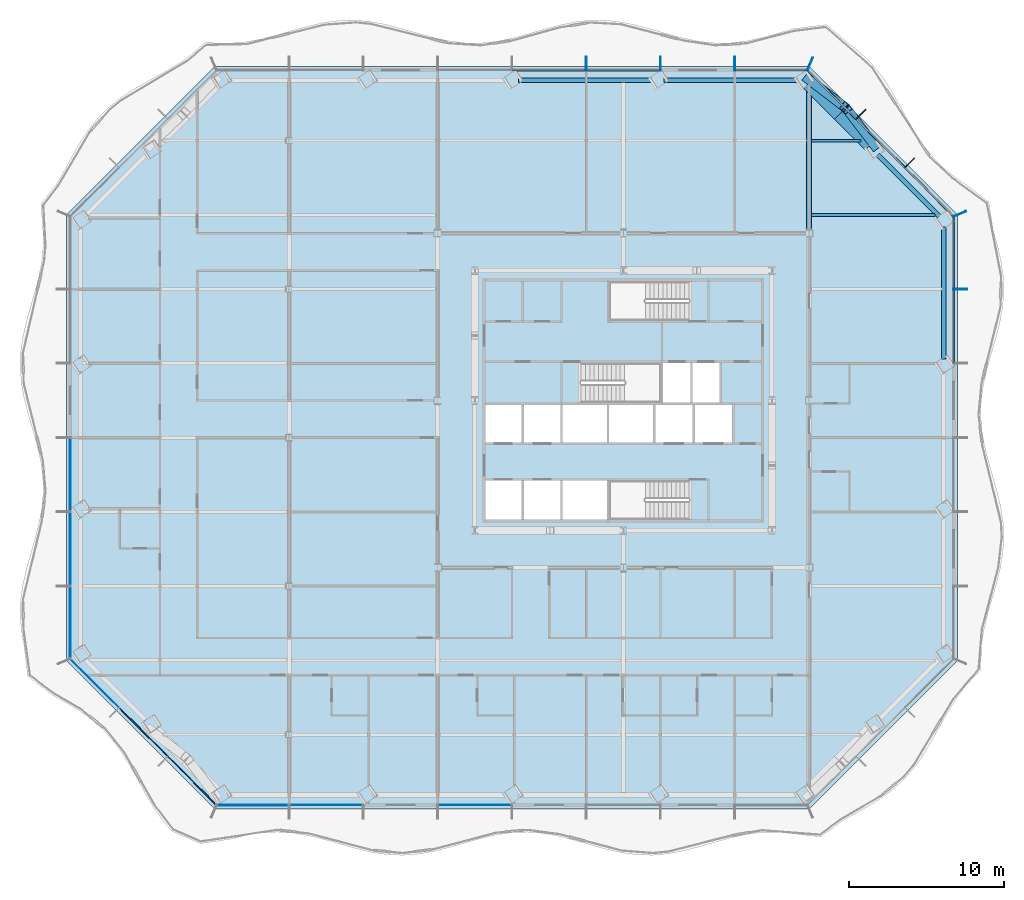
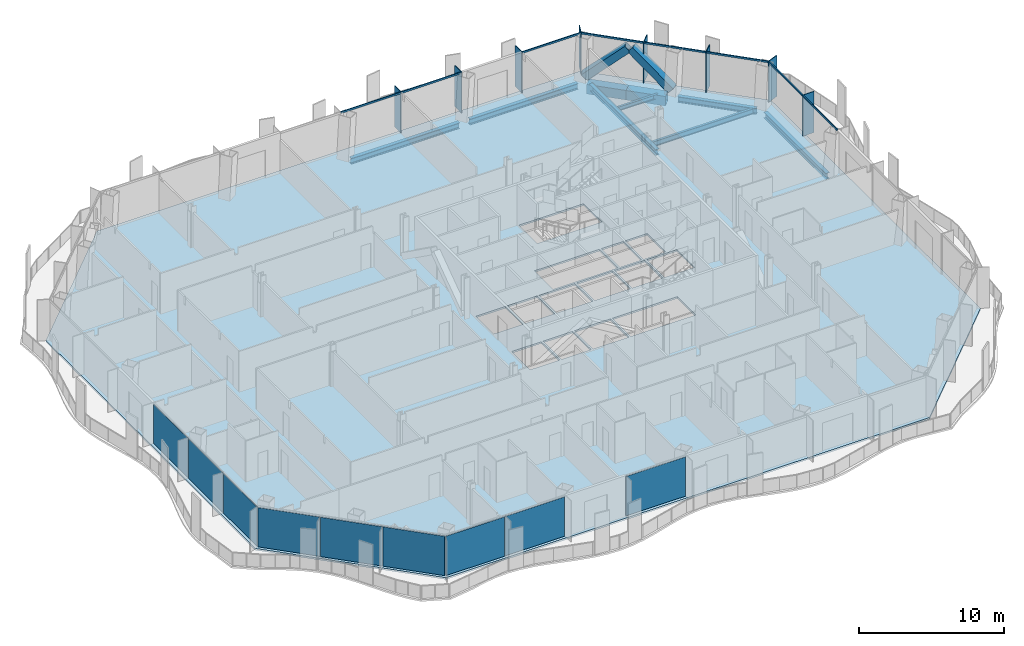
# One storey, part 4 of 20: 18 members, 9 beams, 9 plates, 1 slab, 6 elements without a shape of their own.
"""IFC4 building model written with IfcOpenShell, lengths in metres."""

import ifcopenshell
import ifcopenshell.guid

model = None  # the IFC model being written
_history = None  # IfcOwnerHistory: only IFC2X3 demands one
_inside = {}  # id of a spatial element -> (the spatial element, [elements in it])
_under = {}  # id of a project, library or spatial element -> (it, [spatial elements below it])
_declared = {}  # id of a project -> (the project, [libraries it declares])
_typed = {}  # id of a type object -> (the type object, [elements of that type])
_made_of = {}  # id of a material, layer set ... -> (it, [elements and type objects made of it])


def new_model(schema):
    """Start an empty IFC model of exactly this schema.

    Asked for "IFC4X3", IfcOpenShell would pick the latest addendum, in which some entities
    have other attributes; the version numbers below select the first issue.
    IFC2X3 requires an IfcOwnerHistory on every rooted entity: one is made here for all.
    """
    global model, _history
    if schema == "IFC4X3":
        model = ifcopenshell.file(schema_version=(4, 3, 0, 0))
    else:
        model = ifcopenshell.file(schema=schema)
    _inside.clear()
    _under.clear()
    _declared.clear()
    _typed.clear()
    _made_of.clear()
    _history = None
    if model.schema == "IFC2X3":
        org = make("IfcOrganization", Name="unknown")
        user = make(
            "IfcPersonAndOrganization",
            ThePerson=make("IfcPerson", FamilyName="unknown"),
            TheOrganization=org,
        )
        app = make(
            "IfcApplication",
            ApplicationDeveloper=org,
            Version="unknown",
            ApplicationFullName="unknown",
            ApplicationIdentifier="unknown",
        )
        _history = make(
            "IfcOwnerHistory",
            OwningUser=user,
            OwningApplication=app,
            ChangeAction="ADDED",
            CreationDate=0,
        )
    return model


def make(cls, **values):
    """One entity of the class cls with the attributes given. An attribute that is None is left unset."""
    return model.create_entity(
        cls, **{name: value for name, value in values.items() if value is not None}
    )


def rooted(cls, **values):
    """An entity with a GlobalId (a new one), such as an element, a storey or a relation."""
    return make(cls, GlobalId=ifcopenshell.guid.new(), OwnerHistory=_history, **values)


def si_unit(unit_type, name, prefix=None):
    """IfcSIUnit, for example si_unit("LENGTHUNIT", "METRE", prefix="MILLI")."""
    return make("IfcSIUnit", UnitType=unit_type, Prefix=prefix, Name=name)


def assignment(units):
    """IfcUnitAssignment: the units of a project."""
    return None if units is None else make("IfcUnitAssignment", Units=units)


def point(xyz):
    """IfcCartesianPoint."""
    return None if xyz is None else make("IfcCartesianPoint", Coordinates=xyz)


def direction(xyz):
    """IfcDirection."""
    return None if xyz is None else make("IfcDirection", DirectionRatios=xyz)


def frame(location, z_axis=None, x_axis=None):
    """IfcAxis2Placement3D, a coordinate frame: its origin and axes. An axis left out is left unset."""
    return make(
        "IfcAxis2Placement3D",
        Location=point(location),
        Axis=direction(z_axis),
        RefDirection=direction(x_axis),
    )


def frame_2d(location, x_axis=None):
    """IfcAxis2Placement2D, a coordinate frame in the plane: its origin and x axis."""
    return make(
        "IfcAxis2Placement2D", Location=point(location), RefDirection=direction(x_axis)
    )


def origin():
    """The frame at (0, 0, 0) with its axes left unset."""
    return frame((0.0, 0.0, 0.0))


def origin_2d():
    """The frame at (0, 0) in the plane with its x axis left unset."""
    return frame_2d((0.0, 0.0))


def place(relative_to, where):
    """IfcLocalPlacement: puts the frame where relative to a parent placement (None: the world)."""
    return make(
        "IfcLocalPlacement", PlacementRelTo=relative_to, RelativePlacement=where
    )


def context(
    kind, dimensions, precision=None, world=None, true_north=None, identifier=None
):
    """IfcGeometricRepresentationContext, for example the 3D "Model" context."""
    return make(
        "IfcGeometricRepresentationContext",
        ContextIdentifier=identifier,
        ContextType=kind,
        CoordinateSpaceDimension=dimensions,
        Precision=precision,
        WorldCoordinateSystem=world,
        TrueNorth=true_north,
    )


def subcontext(parent, identifier, kind, view, scale=None):
    """IfcGeometricRepresentationSubContext, for example "Body" below "Model"."""
    return make(
        "IfcGeometricRepresentationSubContext",
        ContextIdentifier=identifier,
        ContextType=kind,
        ParentContext=parent,
        TargetScale=scale,
        TargetView=view,
    )


def project(units=None, contexts=None):
    """IfcProject with its units and contexts."""
    return rooted(
        "IfcProject",
        Name="project",
        RepresentationContexts=contexts,
        UnitsInContext=assignment(units),
    )


def spatial(cls, under=None, at=None, **own):
    """A site, building, storey or space (cls), placed at a placement, below another one or the project."""
    s = rooted(cls, ObjectPlacement=at, **own)
    if under is not None:
        _under.setdefault(under.id(), (under, []))[1].append(s)
    return s


def polyline(points):
    """IfcPolyline through the points."""
    return make("IfcPolyline", Points=[point(p) for p in points])


def profile(cls, at=None, kind="AREA", **sizes):
    """A parametric profile (cls). Its sizes go by their IFC names, for example OverallWidth=200.0."""
    return make(cls, ProfileType=kind, Position=at, **sizes)


def rectangle(**sizes):
    """IfcRectangleProfileDef."""
    return profile("IfcRectangleProfileDef", **sizes)


def hollow_rectangle(**sizes):
    """IfcRectangleHollowProfileDef."""
    return profile("IfcRectangleHollowProfileDef", **sizes)


def i_section(**sizes):
    """IfcIShapeProfileDef."""
    return profile("IfcIShapeProfileDef", **sizes)


def outline(outer, holes=None, kind="AREA"):
    """IfcArbitraryClosedProfileDef: a profile drawn as a closed curve; with holes, ...WithVoids."""
    if holes is None:
        return make("IfcArbitraryClosedProfileDef", ProfileType=kind, OuterCurve=outer)
    return make(
        "IfcArbitraryProfileDefWithVoids",
        ProfileType=kind,
        OuterCurve=outer,
        InnerCurves=holes,
    )


def extrude(swept, where, along, depth):
    """IfcExtrudedAreaSolid: the profile swept, set in the frame where, extruded along a direction by depth."""
    return make(
        "IfcExtrudedAreaSolid",
        SweptArea=swept,
        Position=where,
        ExtrudedDirection=direction(along),
        Depth=depth,
    )


def shape(context_of_items, identifier, shape_type, items):
    """IfcShapeRepresentation: the items that make up one representation, for example the "Body"."""
    return make(
        "IfcShapeRepresentation",
        ContextOfItems=context_of_items,
        RepresentationIdentifier=identifier,
        RepresentationType=shape_type,
        Items=items,
    )


def material(Name=None, Category=None):
    """IfcMaterial."""
    return make("IfcMaterial", Name=Name, Category=Category)


def layer(
    of_material, thickness, ventilated=None, Name=None, Category=None, Priority=None
):
    """IfcMaterialLayer: one layer of a wall or slab, of a material (None: an air gap)."""
    return make(
        "IfcMaterialLayer",
        Material=of_material,
        LayerThickness=thickness,
        IsVentilated=ventilated,
        Name=Name,
        Category=Category,
        Priority=Priority,
    )


def layer_set(layers, Name=None):
    """IfcMaterialLayerSet."""
    return make("IfcMaterialLayerSet", MaterialLayers=layers, LayerSetName=Name)


def material_profile(
    of_material, cross_section, Name=None, Category=None, Priority=None
):
    """IfcMaterialProfile: a cross section and its material."""
    return make(
        "IfcMaterialProfile",
        Name=Name,
        Material=of_material,
        Profile=cross_section,
        Priority=Priority,
        Category=Category,
    )


def profile_set(profiles, Name=None, composite=None):
    """IfcMaterialProfileSet."""
    return make(
        "IfcMaterialProfileSet",
        Name=Name,
        MaterialProfiles=profiles,
        CompositeProfile=composite,
    )


def made_of(thing, what):
    """Note that an element or type object is made of a material, layer set ...; save() writes the relation."""
    if what is not None:
        _made_of.setdefault(what.id(), (what, []))[1].append(thing)
    return thing


def type_object(cls, material=None, **own):
    """A type object (cls), such as IfcWallType, which elements share."""
    return made_of(rooted(cls, **own), material)


def element(
    cls,
    number,
    at=None,
    inside=None,
    cuts=None,
    type_object=None,
    material=None,
    context=None,
    identifier="Body",
    shape_type=None,
    held_by="IfcProductDefinitionShape",
    body=None,
    shapes=None,
    **own,
):
    """One element of the class cls, such as IfcWall. Its Tag is "e" and its number.

    at: its placement. inside: the storey or other place that contains it. cuts: it is an
    opening in that element (IfcRelVoidsElement). A single representation is given by context,
    identifier, shape_type and body (its items); several are given by shapes. held_by: the class
    of the entity that holds the representations. save() writes the other relations.
    """
    e = rooted(cls, Tag="e%d" % number, ObjectPlacement=at, **own)
    if body is not None:
        shapes = [shape(context, identifier, shape_type, body)]
    if shapes is not None:
        e.Representation = make(held_by, Representations=shapes)
    if inside is not None:
        _inside.setdefault(inside.id(), (inside, []))[1].append(e)
    if cuts is not None:
        rooted(
            "IfcRelVoidsElement", RelatingBuildingElement=cuts, RelatedOpeningElement=e
        )
    if type_object is not None:
        _typed.setdefault(type_object.id(), (type_object, []))[1].append(e)
    return made_of(e, material)


def aggregate(whole, parts):
    """IfcRelAggregates: a whole, such as a stair, and the parts it consists of."""
    return rooted("IfcRelAggregates", RelatingObject=whole, RelatedObjects=parts)


def save(model, path):
    """Write the relations noted so far, then the file.

    IfcRelAggregates (storeys below a building ...), IfcRelContainedInSpatialStructure (elements
    in a storey), IfcRelDefinesByType, IfcRelAssociatesMaterial and IfcRelDeclares: one each for
    every whole, place, type object, material and project.
    """
    for whole, parts in _under.values():
        aggregate(whole, parts)
    for where, things in _inside.values():
        rooted(
            "IfcRelContainedInSpatialStructure",
            RelatedElements=things,
            RelatingStructure=where,
        )
    for kind, things in _typed.values():
        rooted("IfcRelDefinesByType", RelatedObjects=things, RelatingType=kind)
    for what, things in _made_of.values():
        rooted("IfcRelAssociatesMaterial", RelatedObjects=things, RelatingMaterial=what)
    for by, libraries in _declared.values():
        rooted("IfcRelDeclares", RelatingContext=by, RelatedDefinitions=libraries)
    model.write(path)


model = new_model("IFC4")

# Units and contexts
model_context = context("Model", 3, precision=1e-05, world=origin(), true_north=direction((0.0, 1.0)))
body_context = subcontext(model_context, "Body", "Model", "MODEL_VIEW")
ifc_project = project(units=[si_unit("LENGTHUNIT", "METRE"), si_unit("AREAUNIT", "SQUARE_METRE"), si_unit("VOLUMEUNIT", "CUBIC_METRE"), si_unit("PLANEANGLEUNIT", "RADIAN"), si_unit("MASSUNIT", "GRAM", prefix="KILO")], contexts=[model_context])

# Site, building, storey
site_placement = place(None, origin())
site = spatial("IfcSite", under=ifc_project, at=site_placement, CompositionType="ELEMENT")
building_placement = place(site_placement, origin())
building = spatial("IfcBuilding", under=site, at=building_placement, Name="Cairn Pilgrim Tower", CompositionType="ELEMENT")
storey_placement = place(building_placement, frame((0.0, 0.0, 87.0)))
storey = spatial("IfcBuildingStorey", under=building, at=storey_placement, Name="L20", CompositionType="ELEMENT", Elevation=87.0)

# Members
ifc_material_1 = material(Name="Structural steel S460M", Category="steel")
ifc_material_profile_1 = material_profile(ifc_material_1, hollow_rectangle(XDim=0.60009765625, YDim=0.60009765625, WallThickness=0.034912109375, at=origin_2d()), Name="BOX 600x600x35")
ifc_profile_set_1 = profile_set([ifc_material_profile_1], Name="Structural steel S460M")
member_type_1 = type_object("IfcMemberType", Name="BOX 600x600x35 BRACE", PredefinedType="BRACE", material=ifc_profile_set_1)
member_1_placement = place(storey_placement, frame((23.4873046875, 18.814697265625, 0.14990234375), z_axis=(-0.455726129467, 0.596815935693, 0.660397178843), x_axis=(-0.794783372434, -0.606893228585, 0.0)))
element("IfcMember", 1, at=member_1_placement, inside=storey, type_object=member_type_1, Name="XB-NE2-N1-1", PredefinedType="BRACE", context=body_context, shape_type="SweptSolid", body=[
    extrude(hollow_rectangle(XDim=0.60009765625, YDim=0.60009765625, WallThickness=0.034912109375, at=origin_2d()), origin(), (0.0, 0.0, 1.0), 4.03173828125),
])
member_2_placement = place(storey_placement, frame((19.078125, 23.2236328125, 0.14990234375), z_axis=(0.596854918616, -0.455709659886, 0.660373312612), x_axis=(0.606854333975, 0.794813070687, 0.0)))
element("IfcMember", 2, at=member_2_placement, inside=storey, type_object=member_type_1, Name="XB-NE2-N1-2", PredefinedType="BRACE", context=body_context, shape_type="SweptSolid", body=[
    extrude(hollow_rectangle(XDim=0.60009765625, YDim=0.60009765625, WallThickness=0.034912109375, at=origin_2d()), origin(), (0.0, 0.0, 1.0), 4.031982421875),
])

# Beams
ifc_material_2 = material(Name="Structural steel S355J2", Category="steel")
ifc_material_profile_2 = material_profile(ifc_material_2, hollow_rectangle(XDim=0.699951171875, YDim=0.800048828125, WallThickness=0.0400390625, at=origin_2d()), Name="BOX 700x800x40")
ifc_profile_set_2 = profile_set([ifc_material_profile_2], Name="Structural steel S355J2")
beam_type_1 = type_object("IfcBeamType", Name="BOX 700x800x40 RING GIRDER", PredefinedType="SPANDREL", material=ifc_profile_set_2)
beam_1_placement = place(storey_placement, frame((23.0771484375, 18.85009765625, -0.550048828125), z_axis=(-0.707106781187, 0.707106781187, 0.0), x_axis=(-0.707106781187, -0.707106781187, 0.0)))
element("IfcBeam", 3, at=beam_1_placement, inside=storey, type_object=beam_type_1, Name="RG1-NE2-N1-1", PredefinedType="SPANDREL", context=body_context, shape_type="SweptSolid", body=[
    extrude(hollow_rectangle(XDim=0.699951171875, YDim=0.800048828125, WallThickness=0.0400390625, at=origin_2d()), origin(), (0.0, 0.0, 1.0), 2.802490234375),
])
beam_2_placement = place(storey_placement, frame((21.095458984375, 20.831787109375, -0.550048828125), z_axis=(-0.707106781187, 0.707106781187, 0.0), x_axis=(-0.707106781187, -0.707106781187, 0.0)))
element("IfcBeam", 4, at=beam_2_placement, inside=storey, type_object=beam_type_1, Name="RG1-NE2-N1-2", PredefinedType="SPANDREL", context=body_context, shape_type="SweptSolid", body=[
    extrude(hollow_rectangle(XDim=0.699951171875, YDim=0.800048828125, WallThickness=0.0400390625, at=origin_2d()), origin(), (0.0, 0.0, 1.0), 2.802978515625),
])

# Curtain wall, member
ifc_material_3 = material(Name="Aluminium alloy 6063-T6 bronze anodised with Bronze tinted laminated low-E glass 8+16+8.8", Category="aluminium")
curtain_wall_type_1 = type_object("IfcCurtainWallType", Name="TOWER STICK CURTAIN WALL EW", PredefinedType="NOTDEFINED", material=ifc_material_3)
curtain_wall_1_placement = place(storey_placement, origin())
curtain_wall_1 = element("IfcCurtainWall", 5, at=curtain_wall_1_placement, inside=storey, type_object=curtain_wall_type_1, Name="Tower Stick Curtain Wall Ew E", PredefinedType="NOTDEFINED")
ifc_material_4 = material(Name="Aluminium alloy 6063-T6 bronze anodised", Category="aluminium")
ifc_material_profile_3 = material_profile(ifc_material_4, rectangle(XDim=0.89990234375, YDim=0.06005859375, at=origin_2d()), Name="FIN MULLION 60x900 BRONZE")
ifc_profile_set_3 = profile_set([ifc_material_profile_3], Name="Aluminium alloy 6063-T6 bronze anodised")
member_type_2 = type_object("IfcMemberType", Name="FIN MULLION 60x900 BRONZE", PredefinedType="MULLION", material=ifc_profile_set_3)
member_3_placement = place(storey_placement, frame((28.969970703125, 9.60009765625, 0.0), z_axis=(0.0, 0.0, 1.0), x_axis=(1.0, 0.0, 0.0)))
member_3 = element("IfcMember", 6, at=member_3_placement, type_object=member_type_2, Name="Fin mullion E6", PredefinedType="MULLION", context=body_context, shape_type="SweptSolid", body=[
    extrude(rectangle(XDim=0.89990234375, YDim=0.06005859375, at=origin_2d()), origin(), (0.0, 0.0, 1.0), 3.449951171875),
])

# Curtain wall, members
curtain_wall_type_2 = type_object("IfcCurtainWallType", Name="CHAMFER CORNER CURTAIN WALL", PredefinedType="NOTDEFINED", material=ifc_material_3)
curtain_wall_2_placement = place(storey_placement, origin())
curtain_wall_2 = element("IfcCurtainWall", 7, at=curtain_wall_2_placement, inside=storey, type_object=curtain_wall_type_2, Name="Chamfer Corner Curtain Wall NE", PredefinedType="NOTDEFINED")
member_4_placement = place(storey_placement, frame((28.93798828125, 14.457275390625, 0.0), z_axis=(0.0, 0.0, 1.0), x_axis=(0.923879532511, 0.382683432365, 0.0)))
member_4 = element("IfcMember", 8, at=member_4_placement, type_object=member_type_2, Name="Fin mullion NE1", PredefinedType="MULLION", context=body_context, shape_type="SweptSolid", body=[
    extrude(rectangle(XDim=0.89990234375, YDim=0.06005859375, at=origin_2d()), origin(), (0.0, 0.0, 1.0), 3.449951171875),
])
member_5_placement = place(storey_placement, frame((25.69580078125, 17.74462890625, 0.0), z_axis=(0.0, 0.0, 1.0), x_axis=(0.707106781187, 0.707106781187, 0.0)))
member_5 = element("IfcMember", 9, at=member_5_placement, type_object=member_type_2, Name="Fin mullion NE2", PredefinedType="MULLION", context=body_context, shape_type="SweptSolid", body=[
    extrude(rectangle(XDim=0.89990234375, YDim=0.06005859375, at=origin_2d()), origin(), (0.0, 0.0, 1.0), 3.449951171875),
])
member_6_placement = place(storey_placement, frame((22.544677734375, 20.895751953125, 0.0), z_axis=(0.0, 0.0, 1.0), x_axis=(0.707106781187, 0.707106781187, 0.0)))
member_6 = element("IfcMember", 10, at=member_6_placement, type_object=member_type_2, Name="Fin mullion NE3", PredefinedType="MULLION", context=body_context, shape_type="SweptSolid", body=[
    extrude(rectangle(XDim=0.89990234375, YDim=0.06005859375, at=origin_2d()), origin(), (0.0, 0.0, 1.0), 3.449951171875),
])

curtain_wall_type_3 = type_object("IfcCurtainWallType", Name="TOWER STICK CURTAIN WALL NS", PredefinedType="NOTDEFINED", material=ifc_material_3)
curtain_wall_3_placement = place(storey_placement, origin())
curtain_wall_3 = element("IfcCurtainWall", 11, at=curtain_wall_3_placement, inside=storey, type_object=curtain_wall_type_3, Name="Tower Stick Curtain Wall Ns N", PredefinedType="NOTDEFINED")
member_7_placement = place(storey_placement, frame((19.257080078125, 24.137939453125, 0.0), z_axis=(0.0, 0.0, 1.0), x_axis=(0.382683432365, 0.923879532511, 0.0)))
member_7 = element("IfcMember", 12, at=member_7_placement, type_object=member_type_2, Name="Fin mullion N1", PredefinedType="MULLION", context=body_context, shape_type="SweptSolid", body=[
    extrude(rectangle(XDim=0.89990234375, YDim=0.06005859375, at=origin_2d()), origin(), (0.0, 0.0, 1.0), 3.449951171875),
])
member_8_placement = place(storey_placement, frame((14.39990234375, 24.169921875, 0.0), z_axis=(0.0, 0.0, 1.0), x_axis=(0.0, 1.0, 0.0)))
member_8 = element("IfcMember", 13, at=member_8_placement, type_object=member_type_2, Name="Fin mullion N2", PredefinedType="MULLION", context=body_context, shape_type="SweptSolid", body=[
    extrude(rectangle(XDim=0.89990234375, YDim=0.06005859375, at=origin_2d()), origin(), (0.0, 0.0, 1.0), 3.449951171875),
])
member_9_placement = place(storey_placement, frame((9.60009765625, 24.169921875, 0.0), z_axis=(0.0, 0.0, 1.0), x_axis=(0.0, 1.0, 0.0)))
member_9 = element("IfcMember", 14, at=member_9_placement, type_object=member_type_2, Name="Fin mullion N3", PredefinedType="MULLION", context=body_context, shape_type="SweptSolid", body=[
    extrude(rectangle(XDim=0.89990234375, YDim=0.06005859375, at=origin_2d()), origin(), (0.0, 0.0, 1.0), 3.449951171875),
])
member_10_placement = place(storey_placement, frame((4.800048828125, 24.169921875, 0.0), z_axis=(0.0, 0.0, 1.0), x_axis=(0.0, 1.0, 0.0)))
member_10 = element("IfcMember", 15, at=member_10_placement, type_object=member_type_2, Name="Fin mullion N4", PredefinedType="MULLION", context=body_context, shape_type="SweptSolid", body=[
    extrude(rectangle(XDim=0.89990234375, YDim=0.06005859375, at=origin_2d()), origin(), (0.0, 0.0, 1.0), 3.449951171875),
])

# Beams
ifc_material_profile_4 = material_profile(ifc_material_2, i_section(OverallWidth=0.300048828125, OverallDepth=0.5, WebThickness=0.014404296875, FlangeThickness=0.028076171875, FilletRadius=0.027099609375, at=origin_2d()), Name="HEB 500")
ifc_profile_set_4 = profile_set([ifc_material_profile_4], Name="Structural steel S355J2")
beam_type_2 = type_object("IfcBeamType", Name="HEB 500 GIRDER", PredefinedType="BEAM", material=ifc_profile_set_4)
beam_3_placement = place(storey_placement, frame((19.199951171875, 13.412109375, -0.39990234375), z_axis=(0.0, 1.0, 0.0), x_axis=(-1.0, 0.0, 0.0)))
element("IfcBeam", 16, at=beam_3_placement, inside=storey, type_object=beam_type_2, Name="PG4-4", PredefinedType="BEAM", context=body_context, shape_type="SweptSolid", body=[
    extrude(i_section(OverallWidth=0.300048828125, OverallDepth=0.5, WebThickness=0.014404296875, FlangeThickness=0.028076171875, FilletRadius=0.027099609375, at=origin_2d()), origin(), (0.0, 0.0, 1.0), 9.133056640625),
])
ifc_material_profile_5 = material_profile(ifc_material_2, i_section(OverallWidth=0.300048828125, OverallDepth=0.5, WebThickness=0.014404296875, FlangeThickness=0.028076171875, FilletRadius=0.027099609375, at=origin_2d()), Name="HEB 500")
ifc_profile_set_5 = profile_set([ifc_material_profile_5], Name="Structural steel S355J2")
beam_type_3 = type_object("IfcBeamType", Name="HEB 500 RING GIRDER", PredefinedType="SPANDREL", material=ifc_profile_set_5)
beam_4_placement = place(storey_placement, frame((27.89990234375, 5.080810546875, -0.39990234375), z_axis=(0.0, 1.0, 0.0), x_axis=(-1.0, 0.0, 0.0)))
element("IfcBeam", 17, at=beam_4_placement, inside=storey, type_object=beam_type_3, Name="RG1-E3-NE1", PredefinedType="SPANDREL", context=body_context, shape_type="SweptSolid", body=[
    extrude(i_section(OverallWidth=0.300048828125, OverallDepth=0.5, WebThickness=0.014404296875, FlangeThickness=0.028076171875, FilletRadius=0.027099609375, at=origin_2d()), origin(), (0.0, 0.0, 1.0), 8.54150390625),
])
beam_5_placement = place(storey_placement, frame((27.613525390625, 14.313720703125, -0.39990234375), z_axis=(-0.707128558756, 0.707085002947, 0.0), x_axis=(-0.707085002947, -0.707128558756, 0.0)))
element("IfcBeam", 18, at=beam_5_placement, inside=storey, type_object=beam_type_3, Name="RG1-NE1-NE2", PredefinedType="SPANDREL", context=body_context, shape_type="SweptSolid", body=[
    extrude(i_section(OverallWidth=0.300048828125, OverallDepth=0.5, WebThickness=0.014404296875, FlangeThickness=0.028076171875, FilletRadius=0.027099609375, at=origin_2d()), origin(), (0.0, 0.0, 1.0), 5.605224609375),
])
for number, where, z_axis, x_axis, name in (
    (19, (18.422119140625, 23.10009765625, -0.39990234375), (-1.0, 0.0, 0.0), (0.0, -1.0, 0.0), "RG1-N1-N2"),
    (20, (9.008544921875, 23.10009765625, -0.39990234375), (-1.0, 0.0, 0.0), (0.0, -1.0, 0.0), "RG1-N2-N3"),
):
    element("IfcBeam", number, at=place(storey_placement, frame(where, z_axis=z_axis, x_axis=x_axis)), inside=storey, type_object=beam_type_3, Name=name, PredefinedType="SPANDREL", context=body_context, shape_type="SweptSolid", body=[
        extrude(i_section(OverallWidth=0.300048828125, OverallDepth=0.5, WebThickness=0.014404296875, FlangeThickness=0.028076171875, FilletRadius=0.027099609375, at=origin_2d()), origin(), (0.0, 0.0, 1.0), 8.603515625),
    ])
ifc_material_profile_6 = material_profile(ifc_material_2, i_section(OverallWidth=0.169921875, OverallDepth=0.360107421875, WebThickness=0.008056640625, FlangeThickness=0.0126953125, FilletRadius=0.01806640625, at=origin_2d()), Name="IPE 360")
ifc_profile_set_6 = profile_set([ifc_material_profile_6], Name="Structural steel S355J2")
beam_type_4 = type_object("IfcBeamType", Name="IPE 360 SECONDARY BEAM", PredefinedType="JOIST", material=ifc_profile_set_6)
beam_6_placement = place(storey_placement, frame((19.35009765625, 19.199951171875, -0.330078125), z_axis=(1.0, 0.0, 0.0), x_axis=(0.0, 1.0, 0.0)))
element("IfcBeam", 21, at=beam_6_placement, inside=storey, type_object=beam_type_4, Name="SB9-5", PredefinedType="JOIST", context=body_context, shape_type="SweptSolid", body=[
    extrude(i_section(OverallWidth=0.169921875, OverallDepth=0.360107421875, WebThickness=0.008056640625, FlangeThickness=0.0126953125, FilletRadius=0.01806640625, at=origin_2d()), origin(), (0.0, 0.0, 1.0), 3.195068359375),
])
ifc_material_profile_7 = material_profile(ifc_material_2, i_section(OverallWidth=0.18994140625, OverallDepth=0.449951171875, WebThickness=0.009521484375, FlangeThickness=0.0146484375, FilletRadius=0.02099609375, at=origin_2d()), Name="IPE 450")
ifc_profile_set_7 = profile_set([ifc_material_profile_7], Name="Structural steel S355J2")
beam_type_5 = type_object("IfcBeamType", Name="IPE 450 SECONDARY BEAM", PredefinedType="JOIST", material=ifc_profile_set_7)
beam_7_placement = place(storey_placement, frame((19.35009765625, 14.39990234375, -0.375), z_axis=(1.0, 0.0, 0.0), x_axis=(0.0, 1.0, 0.0)))
element("IfcBeam", 22, at=beam_7_placement, inside=storey, type_object=beam_type_5, Name="SB8-3", PredefinedType="JOIST", context=body_context, shape_type="SweptSolid", body=[
    extrude(i_section(OverallWidth=0.18994140625, OverallDepth=0.449951171875, WebThickness=0.009521484375, FlangeThickness=0.0146484375, FilletRadius=0.02099609375, at=origin_2d()), origin(), (0.0, 0.0, 1.0), 7.9951171875),
])

# Member
ifc_material_profile_8 = material_profile(ifc_material_4, rectangle(XDim=0.080078125, YDim=0.14990234375, at=origin_2d()), Name="TRANSOM 80x150 BRONZE")
ifc_profile_set_8 = profile_set([ifc_material_profile_8], Name="Aluminium alloy 6063-T6 bronze anodised")
member_type_3 = type_object("IfcMemberType", Name="TRANSOM 80x150 BRONZE", PredefinedType="USERDEFINED", material=ifc_profile_set_8)
member_11_placement = place(storey_placement, frame((28.550048828125, 4.830078125, 3.375), z_axis=(0.0, 1.0, 0.0), x_axis=(-1.0, 0.0, 0.0)))
member_11 = element("IfcMember", 23, at=member_11_placement, type_object=member_type_3, Name="Transom E5", ObjectType="TRANSOM", PredefinedType="USERDEFINED", context=body_context, shape_type="SweptSolid", body=[
    extrude(rectangle(XDim=0.080078125, YDim=0.14990234375, at=origin_2d()), origin(), (0.0, 0.0, 1.0), 4.739990234375),
])

member_12_placement = place(storey_placement, frame((28.550048828125, 9.6298828125, 3.375), z_axis=(0.0, 1.0, 0.0), x_axis=(-1.0, 0.0, 0.0)))
member_12 = element("IfcMember", 24, at=member_12_placement, type_object=member_type_3, Name="Transom E6", ObjectType="TRANSOM", PredefinedType="USERDEFINED", context=body_context, shape_type="SweptSolid", body=[
    extrude(rectangle(XDim=0.080078125, YDim=0.14990234375, at=origin_2d()), origin(), (0.0, 0.0, 1.0), 4.62646484375),
])

aggregate(curtain_wall_1, [member_3, member_11, member_12])

member_13_placement = place(storey_placement, frame((28.521728515625, 14.32470703125, 3.375), z_axis=(-0.707106781187, 0.707106781187, 0.0), x_axis=(-0.707106781187, -0.707106781187, 0.0)))
member_13 = element("IfcMember", 25, at=member_13_placement, type_object=member_type_3, Name="Transom NE1", ObjectType="TRANSOM", PredefinedType="USERDEFINED", context=body_context, shape_type="SweptSolid", body=[
    extrude(rectangle(XDim=0.080078125, YDim=0.14990234375, at=origin_2d()), origin(), (0.0, 0.0, 1.0), 4.38671875),
])

member_14_placement = place(storey_placement, frame((25.377685546875, 17.46875, 3.375), z_axis=(-0.707106781187, 0.707106781187, 0.0), x_axis=(-0.707106781187, -0.707106781187, 0.0)))
member_14 = element("IfcMember", 26, at=member_14_placement, type_object=member_type_3, Name="Transom NE2", ObjectType="TRANSOM", PredefinedType="USERDEFINED", context=body_context, shape_type="SweptSolid", body=[
    extrude(rectangle(XDim=0.080078125, YDim=0.14990234375, at=origin_2d()), origin(), (0.0, 0.0, 1.0), 4.396728515625),
])

member_15_placement = place(storey_placement, frame((22.226318359375, 20.6201171875, 3.375), z_axis=(-0.707106781187, 0.707106781187, 0.0), x_axis=(-0.707106781187, -0.707106781187, 0.0)))
member_15 = element("IfcMember", 27, at=member_15_placement, type_object=member_type_3, Name="Transom NE3", ObjectType="TRANSOM", PredefinedType="USERDEFINED", context=body_context, shape_type="SweptSolid", body=[
    extrude(rectangle(XDim=0.080078125, YDim=0.14990234375, at=origin_2d()), origin(), (0.0, 0.0, 1.0), 4.38623046875),
])

aggregate(curtain_wall_2, [member_4, member_5, member_6, member_13, member_14, member_15])

member_16_placement = place(storey_placement, frame((19.056396484375, 23.75, 3.375), z_axis=(-1.0, 0.0, 0.0), x_axis=(0.0, -1.0, 0.0)))
member_16 = element("IfcMember", 28, at=member_16_placement, type_object=member_type_3, Name="Transom N1", ObjectType="TRANSOM", PredefinedType="USERDEFINED", context=body_context, shape_type="SweptSolid", body=[
    extrude(rectangle(XDim=0.080078125, YDim=0.14990234375, at=origin_2d()), origin(), (0.0, 0.0, 1.0), 4.62646484375),
])

member_17_placement = place(storey_placement, frame((9.570068359375, 23.75, 3.375), z_axis=(-1.0, 0.0, 0.0), x_axis=(0.0, -1.0, 0.0)))
member_17 = element("IfcMember", 29, at=member_17_placement, type_object=member_type_3, Name="Transom N3", ObjectType="TRANSOM", PredefinedType="USERDEFINED", context=body_context, shape_type="SweptSolid", body=[
    extrude(rectangle(XDim=0.080078125, YDim=0.14990234375, at=origin_2d()), origin(), (0.0, 0.0, 1.0), 4.739990234375),
])

member_18_placement = place(storey_placement, frame((4.77001953125, 23.75, 3.375), z_axis=(-1.0, 0.0, 0.0), x_axis=(0.0, -1.0, 0.0)))
member_18 = element("IfcMember", 30, at=member_18_placement, type_object=member_type_3, Name="Transom N4", ObjectType="TRANSOM", PredefinedType="USERDEFINED", context=body_context, shape_type="SweptSolid", body=[
    extrude(rectangle(XDim=0.080078125, YDim=0.14990234375, at=origin_2d()), origin(), (0.0, 0.0, 1.0), 4.739990234375),
])

aggregate(curtain_wall_3, [member_7, member_8, member_9, member_10, member_16, member_17, member_18])

# Slab
ifc_material_5 = material(Name="Concrete C35/45", Category="concrete")
ifc_layer_1 = layer(ifc_material_5, 0.14990234375)
ifc_layer_set_1 = layer_set([ifc_layer_1], Name="COMPOSITE FLOOR SLAB 150")
slab_type = type_object("IfcSlabType", Name="COMPOSITE FLOOR SLAB 150", PredefinedType="FLOOR", material=ifc_layer_set_1)
slab_placement = place(storey_placement, frame((0.0, 0.0, -0.14990234375)))
element("IfcSlab", 31, at=slab_placement, inside=storey, type_object=slab_type, Name="FLOOR SLAB L20", PredefinedType="FLOOR", context=body_context, shape_type="SweptSolid", body=[
    extrude(outline(polyline([(-19.199951171875, -24.0), (19.199951171875, -24.0), (28.800048828125, -14.39990234375), (28.800048828125, 14.39990234375), (19.199951171875, 24.0), (-19.199951171875, 24.0), (-28.800048828125, 14.39990234375), (-28.800048828125, -14.39990234375), (-19.199951171875, -24.0)]), holes=[polyline([(-1.72509765625, -5.300048828125), (0.625, -5.300048828125), (0.625, -2.77490234375), (-1.72509765625, -2.77490234375), (-1.72509765625, -5.300048828125)]), polyline([(0.77490234375, -5.300048828125), (3.125, -5.300048828125), (3.125, -2.77490234375), (0.77490234375, -2.77490234375), (0.77490234375, -5.300048828125)]), polyline([(-1.72509765625, -0.324951171875), (0.625, -0.324951171875), (0.625, 2.125), (-1.72509765625, 2.125), (-1.72509765625, -0.324951171875)]), polyline([(0.77490234375, -0.324951171875), (3.125, -0.324951171875), (3.125, 2.125), (0.77490234375, 2.125), (0.77490234375, -0.324951171875)]), polyline([(3.27490234375, -5.300048828125), (6.125, -5.300048828125), (6.125, -2.77490234375), (3.27490234375, -2.77490234375), (3.27490234375, -5.300048828125)]), polyline([(3.27490234375, -0.324951171875), (6.125, -0.324951171875), (6.125, 2.125), (3.27490234375, 2.125), (3.27490234375, -0.324951171875)]), polyline([(6.27490234375, -0.324951171875), (9.125, -0.324951171875), (9.125, 2.125), (6.27490234375, 2.125), (6.27490234375, -0.324951171875)]), polyline([(9.27490234375, -0.324951171875), (11.675048828125, -0.324951171875), (11.675048828125, 2.125), (9.27490234375, 2.125), (9.27490234375, -0.324951171875)]), polyline([(11.824951171875, -0.324951171875), (14.22509765625, -0.324951171875), (14.22509765625, 2.125), (11.824951171875, 2.125), (11.824951171875, -0.324951171875)]), polyline([(9.77490234375, 2.27490234375), (11.52490234375, 2.27490234375), (11.52490234375, 4.824951171875), (9.77490234375, 4.824951171875), (9.77490234375, 2.27490234375)]), polyline([(11.675048828125, 2.27490234375), (13.425048828125, 2.27490234375), (13.425048828125, 4.824951171875), (11.675048828125, 4.824951171875), (11.675048828125, 2.27490234375)]), polyline([(11.424560546875, -2.77490234375), (6.27490234375, -2.77490234375), (6.27490234375, -5.300048828125), (11.424560546875, -5.300048828125), (11.424560546875, -2.77490234375)]), polyline([(4.4755859375, 2.27490234375), (9.625, 2.27490234375), (9.625, 4.824951171875), (4.4755859375, 4.824951171875), (4.4755859375, 2.27490234375)]), polyline([(11.424560546875, 10.10009765625), (6.27490234375, 10.10009765625), (6.27490234375, 7.574951171875), (11.424560546875, 7.574951171875), (11.424560546875, 10.10009765625)])]), origin(), (0.0, 0.0, 1.0), 0.14990234375),
])

# Curtain wall, plates
curtain_wall_4_placement = place(storey_placement, origin())
curtain_wall_4 = element("IfcCurtainWall", 32, at=curtain_wall_4_placement, inside=storey, type_object=curtain_wall_type_2, Name="Chamfer Corner Curtain Wall SW", PredefinedType="NOTDEFINED")
ifc_material_6 = material(Name="Bronze anodised aluminium spandrel panel with mineral wool insulation", Category="aluminium")
ifc_layer_2 = layer(ifc_material_6, 0.06005859375)
ifc_layer_set_2 = layer_set([ifc_layer_2], Name="SPANDREL PANEL 4386x3300")
plate_type_1 = type_object("IfcPlateType", Name="SPANDREL PANEL 4386x3300", PredefinedType="CURTAIN_PANEL", material=ifc_layer_set_2)
plate_1_placement = place(storey_placement, frame((-20.675537109375, -22.1708984375, 0.0), z_axis=(0.0, 0.0, 1.0), x_axis=(0.707106781187, -0.707106781187, 0.0)))
plate_1 = element("IfcPlate", 33, at=plate_1_placement, type_object=plate_type_1, Name="Spandrel Panel SW3-1", PredefinedType="CURTAIN_PANEL", context=body_context, shape_type="SweptSolid", body=[
    extrude(rectangle(XDim=4.386474609375, YDim=0.06005859375, at=origin_2d()), origin(), (0.0, 0.0, 1.0), 3.300048828125),
])
ifc_layer_3 = layer(ifc_material_6, 0.06005859375)
ifc_layer_set_3 = layer_set([ifc_layer_3], Name="SPANDREL PANEL 4396x3300")
plate_type_2 = type_object("IfcPlateType", Name="SPANDREL PANEL 4396x3300", PredefinedType="CURTAIN_PANEL", material=ifc_layer_set_3)
plate_2_placement = place(storey_placement, frame((-23.8232421875, -19.023193359375, 0.0), z_axis=(0.0, 0.0, 1.0), x_axis=(0.707106781187, -0.707106781187, 0.0)))
plate_2 = element("IfcPlate", 34, at=plate_2_placement, type_object=plate_type_2, Name="Spandrel Panel SW2-1", PredefinedType="CURTAIN_PANEL", context=body_context, shape_type="SweptSolid", body=[
    extrude(rectangle(XDim=4.396484375, YDim=0.06005859375, at=origin_2d()), origin(), (0.0, 0.0, 1.0), 3.300048828125),
])

# Curtain wall, plate
curtain_wall_5_placement = place(storey_placement, origin())
curtain_wall_5 = element("IfcCurtainWall", 35, at=curtain_wall_5_placement, inside=storey, type_object=curtain_wall_type_3, Name="Tower Stick Curtain Wall Ns S", PredefinedType="NOTDEFINED")
ifc_layer_4 = layer(ifc_material_6, 0.06005859375)
ifc_layer_set_4 = layer_set([ifc_layer_4], Name="SPANDREL PANEL 4626x3300")
plate_type_3 = type_object("IfcPlateType", Name="SPANDREL PANEL 4626x3300", PredefinedType="CURTAIN_PANEL", material=ifc_layer_set_4)
plate_3_placement = place(storey_placement, frame((-16.7431640625, -23.75, 0.0), z_axis=(0.0, 0.0, 1.0), x_axis=(1.0, 0.0, 0.0)))
plate_3 = element("IfcPlate", 36, at=plate_3_placement, type_object=plate_type_3, Name="Spandrel Panel S1-1", PredefinedType="CURTAIN_PANEL", context=body_context, shape_type="SweptSolid", body=[
    extrude(rectangle(XDim=4.62646484375, YDim=0.06005859375, at=origin_2d()), origin(), (0.0, 0.0, 1.0), 3.300048828125),
])

# Plate
ifc_material_7 = material(Name="Bronze tinted laminated low-E glass 8+16+8.8", Category="glass")
ifc_layer_5 = layer(ifc_material_7, 0.033935546875)
ifc_layer_set_5 = layer_set([ifc_layer_5], Name="VISION GLAZING 4386x3300")
plate_type_4 = type_object("IfcPlateType", Name="VISION GLAZING 4386x3300", PredefinedType="CURTAIN_PANEL", material=ifc_layer_set_5)
plate_4_placement = place(storey_placement, frame((-26.970947265625, -15.87548828125, 0.0), z_axis=(0.0, 0.0, 1.0), x_axis=(0.707106781187, -0.707106781187, 0.0)))
plate_4 = element("IfcPlate", 37, at=plate_4_placement, type_object=plate_type_4, Name="Vision Glazing SW1-1", PredefinedType="CURTAIN_PANEL", context=body_context, shape_type="SweptSolid", body=[
    extrude(rectangle(XDim=4.386474609375, YDim=0.033935546875, at=origin_2d()), origin(), (0.0, 0.0, 1.0), 3.300048828125),
])

aggregate(curtain_wall_4, [plate_4, plate_2, plate_1])

# Curtain wall, plate
curtain_wall_6_placement = place(storey_placement, origin())
curtain_wall_6 = element("IfcCurtainWall", 38, at=curtain_wall_6_placement, inside=storey, type_object=curtain_wall_type_1, Name="Tower Stick Curtain Wall Ew W", PredefinedType="NOTDEFINED")
ifc_layer_6 = layer(ifc_material_7, 0.033935546875)
ifc_layer_set_6 = layer_set([ifc_layer_6], Name="VISION GLAZING 4626x3300")
plate_type_5 = type_object("IfcPlateType", Name="VISION GLAZING 4626x3300", PredefinedType="CURTAIN_PANEL", material=ifc_layer_set_6)
plate_5_placement = place(storey_placement, frame((-28.550048828125, -11.943115234375, 0.0), z_axis=(0.0, 0.0, 1.0), x_axis=(0.0, -1.0, 0.0)))
plate_5 = element("IfcPlate", 39, at=plate_5_placement, type_object=plate_type_5, Name="Vision Glazing W6-1", PredefinedType="CURTAIN_PANEL", context=body_context, shape_type="SweptSolid", body=[
    extrude(rectangle(XDim=4.62646484375, YDim=0.033935546875, at=origin_2d()), origin(), (0.0, 0.0, 1.0), 3.300048828125),
])

# Plate
ifc_layer_7 = layer(ifc_material_7, 0.033935546875)
ifc_layer_set_7 = layer_set([ifc_layer_7], Name="VISION GLAZING 4740x3300")
plate_type_6 = type_object("IfcPlateType", Name="VISION GLAZING 4740x3300", PredefinedType="CURTAIN_PANEL", material=ifc_layer_set_7)
plate_6_placement = place(storey_placement, frame((-12.0, -23.75, 0.0), z_axis=(0.0, 0.0, 1.0), x_axis=(1.0, 0.0, 0.0)))
plate_6 = element("IfcPlate", 40, at=plate_6_placement, type_object=plate_type_6, Name="Vision Glazing S2-1", PredefinedType="CURTAIN_PANEL", context=body_context, shape_type="SweptSolid", body=[
    extrude(rectangle(XDim=4.739990234375, YDim=0.033935546875, at=origin_2d()), origin(), (0.0, 0.0, 1.0), 3.300048828125),
])

plate_7_placement = place(storey_placement, frame((-2.39990234375, -23.75, 0.0), z_axis=(0.0, 0.0, 1.0), x_axis=(1.0, 0.0, 0.0)))
plate_7 = element("IfcPlate", 41, at=plate_7_placement, type_object=plate_type_6, Name="Vision Glazing S4-1", PredefinedType="CURTAIN_PANEL", context=body_context, shape_type="SweptSolid", body=[
    extrude(rectangle(XDim=4.739990234375, YDim=0.033935546875, at=origin_2d()), origin(), (0.0, 0.0, 1.0), 3.300048828125),
])

aggregate(curtain_wall_5, [plate_3, plate_6, plate_7])

plate_8_placement = place(storey_placement, frame((-28.550048828125, -2.39990234375, 0.0), z_axis=(0.0, 0.0, 1.0), x_axis=(0.0, -1.0, 0.0)))
plate_8 = element("IfcPlate", 42, at=plate_8_placement, type_object=plate_type_6, Name="Vision Glazing W4-1", PredefinedType="CURTAIN_PANEL", context=body_context, shape_type="SweptSolid", body=[
    extrude(rectangle(XDim=4.739990234375, YDim=0.033935546875, at=origin_2d()), origin(), (0.0, 0.0, 1.0), 3.300048828125),
])

plate_9_placement = place(storey_placement, frame((-28.550048828125, -7.199951171875, 0.0), z_axis=(0.0, 0.0, 1.0), x_axis=(0.0, -1.0, 0.0)))
plate_9 = element("IfcPlate", 43, at=plate_9_placement, type_object=plate_type_6, Name="Vision Glazing W5-1", PredefinedType="CURTAIN_PANEL", context=body_context, shape_type="SweptSolid", body=[
    extrude(rectangle(XDim=4.739990234375, YDim=0.033935546875, at=origin_2d()), origin(), (0.0, 0.0, 1.0), 3.300048828125),
])

aggregate(curtain_wall_6, [plate_8, plate_9, plate_5])

save(model, "model.ifc")
